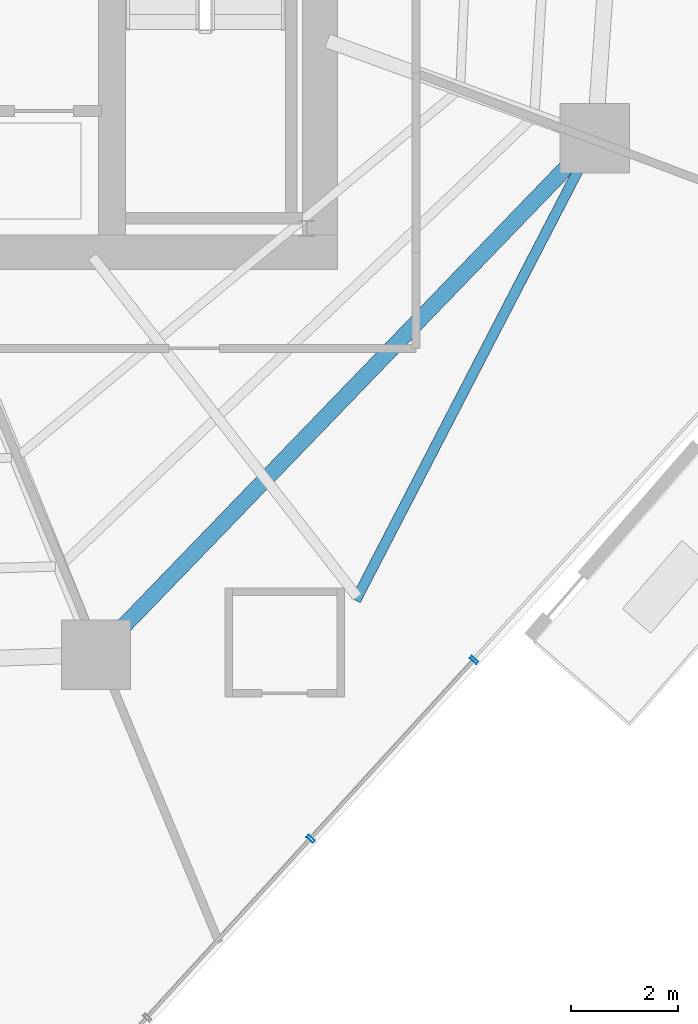
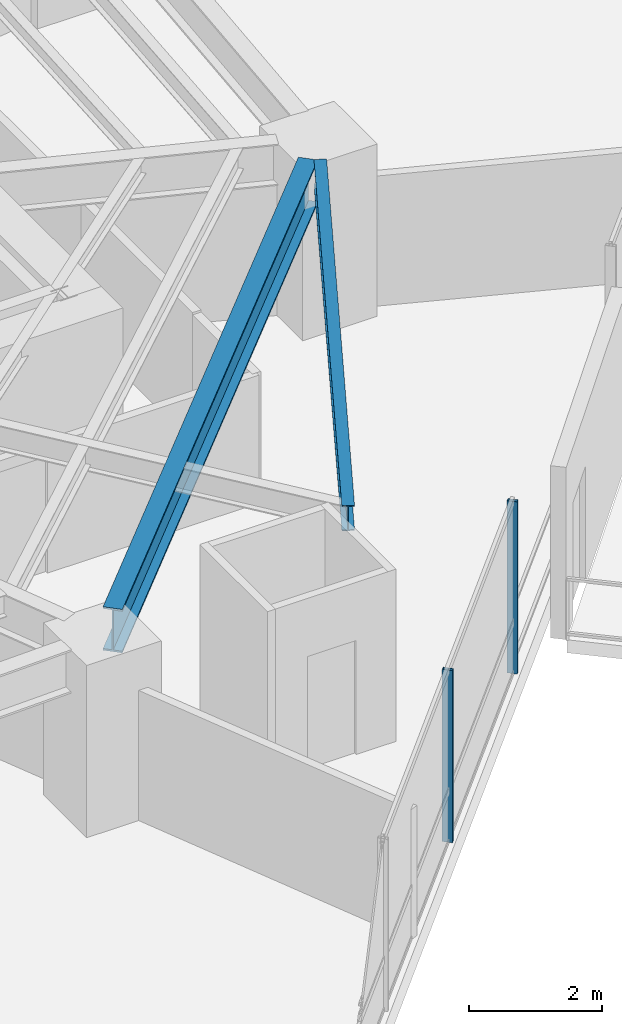
# One storey, part 11 of 33: 2 beams, 2 members, 1 element without a shape of its own.
"""IFC4 building model written with IfcOpenShell, lengths in metres."""

from ifc_helpers import new_model, si_unit, direction, frame, origin, origin_2d, place, context, subcontext, project, spatial, hollow_rectangle, i_section, extrude, material, layer, layer_set, material_profile, profile_set, type_object, element, aggregate, save


model = new_model("IFC4")

# Units and contexts
model_context = context("Model", 3, precision=1e-05, world=origin(), true_north=direction((0.0, 1.0)))
body_context = subcontext(model_context, "Body", "Model", "MODEL_VIEW")
ifc_project = project(units=[si_unit("LENGTHUNIT", "METRE"), si_unit("AREAUNIT", "SQUARE_METRE"), si_unit("VOLUMEUNIT", "CUBIC_METRE"), si_unit("PLANEANGLEUNIT", "RADIAN"), si_unit("MASSUNIT", "GRAM", prefix="KILO")], contexts=[model_context])

# Site, building, storey
site_placement = place(None, origin())
site = spatial("IfcSite", under=ifc_project, at=site_placement, CompositionType="ELEMENT")
building_placement = place(site_placement, origin())
building = spatial("IfcBuilding", under=site, at=building_placement, Name="Qarnah Convention Tower", CompositionType="ELEMENT")
storey_placement = place(building_placement, frame((0.0, 0.0, 27.0)))
storey = spatial("IfcBuildingStorey", under=building, at=storey_placement, Name="L05", CompositionType="ELEMENT", Elevation=27.0)

# Beams
ifc_material_1 = material(Name="Structural steel S355JR", Category="steel")
ifc_material_profile_1 = material_profile(ifc_material_1, i_section(OverallWidth=0.19189453125, OverallDepth=0.464111328125, WebThickness=0.010986328125, FlangeThickness=0.01806640625, at=origin_2d()), Name="W460X89")
ifc_profile_set_1 = profile_set([ifc_material_profile_1], Name="Structural steel S355JR")
beam_type_1 = type_object("IfcBeamType", Name="BM-CANT-W460A", PredefinedType="BEAM", material=ifc_profile_set_1)
beam_1_placement = place(storey_placement, frame((48.26904296875, 12.074951171875, 2.93798828125), z_axis=(0.459489942742, 0.888182972432, 0.0), x_axis=(-0.888182972432, 0.459489942742, 0.0)))
element("IfcBeam", 1, at=beam_1_placement, inside=storey, type_object=beam_type_1, Name="L05 spandrel BM-L05-CTIE-03", PredefinedType="SPANDREL", context=body_context, shape_type="SweptSolid", body=[
    extrude(i_section(OverallWidth=0.19189453125, OverallDepth=0.464111328125, WebThickness=0.010986328125, FlangeThickness=0.01806640625, at=origin_2d()), origin(), (0.0, 0.0, 1.0), 9.116455078125),
])
ifc_material_profile_2 = material_profile(ifc_material_1, i_section(OverallWidth=0.300048828125, OverallDepth=0.800048828125, WebThickness=0.01806640625, FlangeThickness=0.032958984375, at=origin_2d()), Name="HEB800")
ifc_profile_set_2 = profile_set([ifc_material_profile_2], Name="Structural steel S355JR")
beam_type_2 = type_object("IfcBeamType", Name="BM-RING-HEB800", PredefinedType="BEAM", material=ifc_profile_set_2)
beam_2_placement = place(storey_placement, frame((43.844970703125, 11.514892578125, 2.77001953125), z_axis=(0.694553028655, 0.719441512832, 0.0), x_axis=(-0.719441512832, 0.694553028655, 0.0)))
element("IfcBeam", 2, at=beam_2_placement, inside=storey, type_object=beam_type_2, Name="L05 beam BM-L05-SPN-08", PredefinedType="BEAM", context=body_context, shape_type="SweptSolid", body=[
    extrude(i_section(OverallWidth=0.300048828125, OverallDepth=0.800048828125, WebThickness=0.01806640625, FlangeThickness=0.032958984375, at=origin_2d()), origin(), (0.0, 0.0, 1.0), 12.183349609375),
])

# Curtain wall, members
ifc_material_2 = material(Name="Tempered Low-E dark glass", Category="glass")
ifc_layer = layer(ifc_material_2, 0.16796875)
ifc_layer_set = layer_set([ifc_layer], Name="Tempered Low-E dark glass")
curtain_wall_type = type_object("IfcCurtainWallType", Name="CWS-01", PredefinedType="NOTDEFINED", material=ifc_layer_set)
curtain_wall_placement = place(storey_placement, origin())
curtain_wall = element("IfcCurtainWall", 3, at=curtain_wall_placement, inside=storey, type_object=curtain_wall_type, Name="L05 unitised curtain wall CW-L05-F4", PredefinedType="NOTDEFINED")
ifc_material_3 = material(Name="Black anodised aluminium", Category="aluminium")
ifc_material_profile_3 = material_profile(ifc_material_3, hollow_rectangle(XDim=0.06005859375, YDim=0.159912109375, WallThickness=0.00390625, at=origin_2d()), Name="MUL-60X160")
ifc_profile_set_3 = profile_set([ifc_material_profile_3], Name="Black anodised aluminium")
member_type = type_object("IfcMemberType", Name="MUL-T1", PredefinedType="MULLION", material=ifc_profile_set_3)
member_1_placement = place(storey_placement, frame((50.487060546875, 10.95703125, 0.0), z_axis=(0.0, 0.0, 1.0), x_axis=(-0.674643525132, -0.738143694681, 0.0)))
member_1 = element("IfcMember", 4, at=member_1_placement, type_object=member_type, Name="CW-L05-F4 mullion 1", PredefinedType="MULLION", context=body_context, shape_type="SweptSolid", body=[
    extrude(hollow_rectangle(XDim=0.06005859375, YDim=0.159912109375, WallThickness=0.00390625, at=origin_2d()), origin(), (0.0, 0.0, 1.0), 3.169921875),
])
member_2_placement = place(storey_placement, frame((47.423583984375, 7.605224609375, 0.0), z_axis=(0.0, 0.0, 1.0), x_axis=(-0.674643525132, -0.738143694681, 0.0)))
member_2 = element("IfcMember", 5, at=member_2_placement, type_object=member_type, Name="CW-L05-F4 mullion 2", PredefinedType="MULLION", context=body_context, shape_type="SweptSolid", body=[
    extrude(hollow_rectangle(XDim=0.06005859375, YDim=0.159912109375, WallThickness=0.00390625, at=origin_2d()), origin(), (0.0, 0.0, 1.0), 3.169921875),
])
aggregate(curtain_wall, [member_1, member_2])

save(model, "model.ifc")
